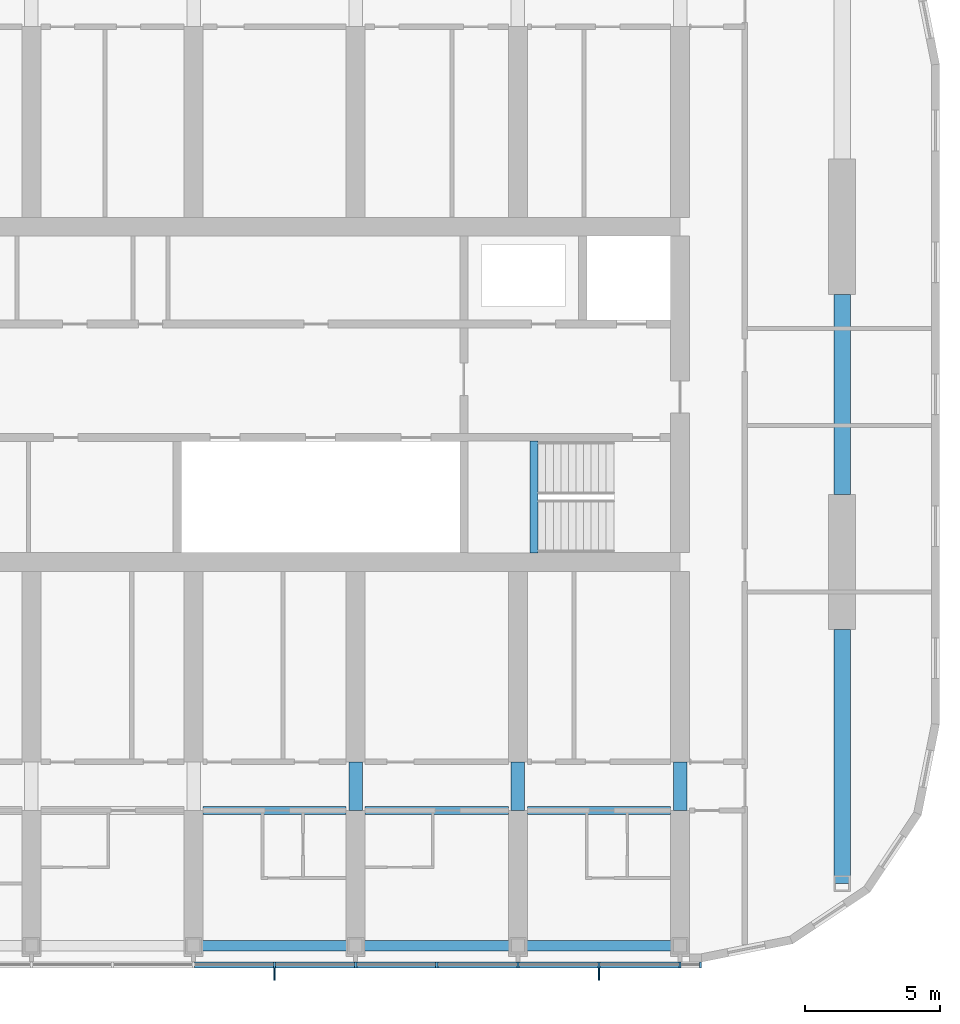
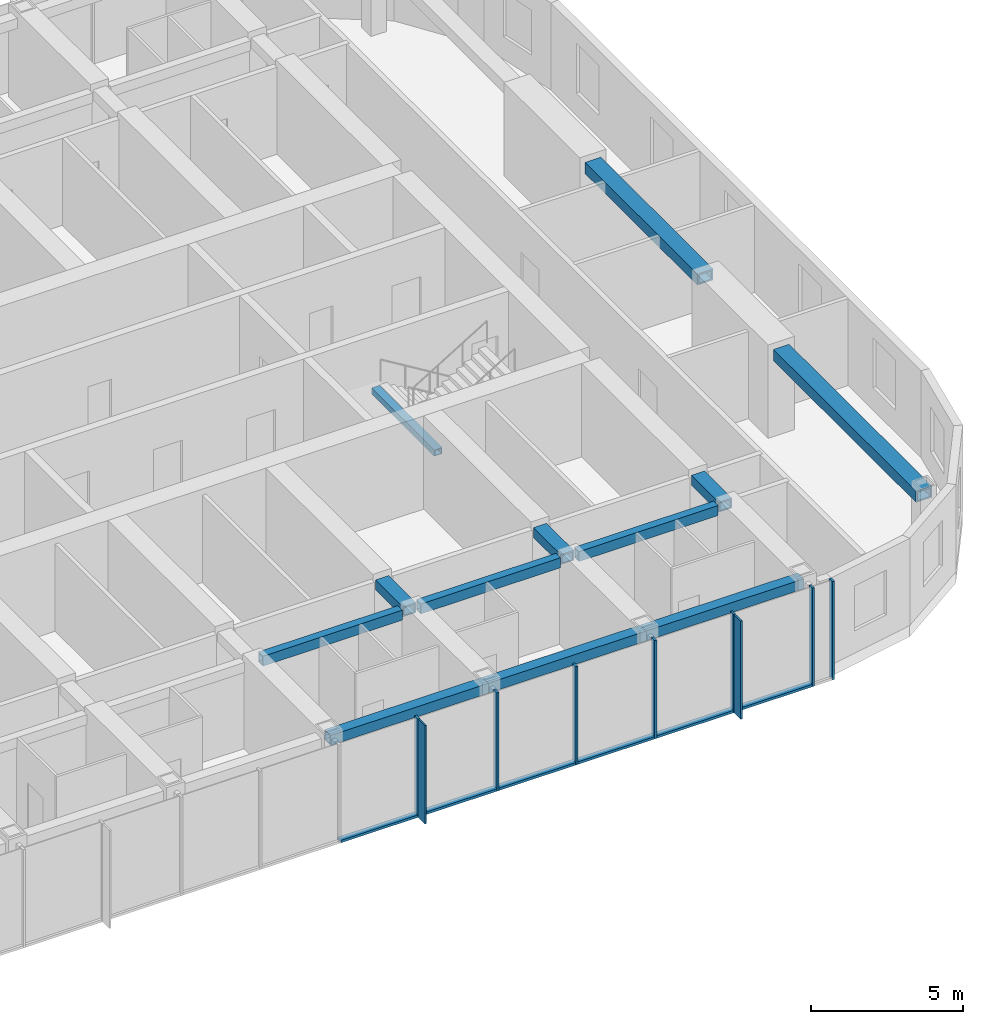
# One storey, part 5 of 26: 15 members, 12 beams, 1 element without a shape of its own.
"""IFC4 building model written with IfcOpenShell, lengths in metres."""

from ifc_helpers import new_model, si_unit, direction, frame, origin, origin_2d, place, context, subcontext, project, spatial, rectangle, hollow_rectangle, extrude, material, material_profile, profile_set, type_object, element, aggregate, save


model = new_model("IFC4")

# Units and contexts
model_context = context("Model", 3, precision=1e-05, world=origin(), true_north=direction((0.0, 1.0)))
body_context = subcontext(model_context, "Body", "Model", "MODEL_VIEW")
ifc_project = project(units=[si_unit("LENGTHUNIT", "METRE"), si_unit("AREAUNIT", "SQUARE_METRE"), si_unit("VOLUMEUNIT", "CUBIC_METRE"), si_unit("PLANEANGLEUNIT", "RADIAN"), si_unit("MASSUNIT", "GRAM", prefix="KILO")], contexts=[model_context])

# Site, building, storey
site_placement = place(None, origin())
site = spatial("IfcSite", under=ifc_project, at=site_placement, CompositionType="ELEMENT")
building_placement = place(site_placement, origin())
building = spatial("IfcBuilding", under=site, at=building_placement, Name="Orbita Commons", CompositionType="ELEMENT")
storey_placement = place(building_placement, frame((0.0, 0.0, 231.550048828125)))
storey = spatial("IfcBuildingStorey", under=building, at=storey_placement, Name="L57", CompositionType="ELEMENT", Elevation=231.550048828125)

# Curtain wall, members
ifc_material_1 = material(Name="Anodised aluminium frame, pale silver", Category="aluminium")
curtain_wall_type = type_object("IfcCurtainWallType", Name="Unitised curtain wall CW-U, full-height vision", PredefinedType="NOTDEFINED", material=ifc_material_1)
curtain_wall_placement = place(storey_placement, origin())
curtain_wall = element("IfcCurtainWall", 1, at=curtain_wall_placement, inside=storey, type_object=curtain_wall_type, Name="Curtain wall south L57", PredefinedType="NOTDEFINED")
ifc_material_2 = material(Name="Anodised aluminium, pale silver", Category="aluminium")
ifc_material_profile_1 = material_profile(ifc_material_2, rectangle(XDim=0.080078125, YDim=0.219970703125, at=origin_2d()), Name="AL 80x220")
ifc_profile_set_1 = profile_set([ifc_material_profile_1], Name="Anodised aluminium, pale silver")
member_type_1 = type_object("IfcMemberType", Name="Curtain wall mullion 80x220", PredefinedType="MULLION", material=ifc_profile_set_1)
member_1_placement = place(storey_placement, frame((51.0, 10.889892578125, -0.449951171875), z_axis=(0.0, 0.0, 1.0), x_axis=(1.0, 0.0, 0.0)))
member_1 = element("IfcMember", 2, at=member_1_placement, type_object=member_type_1, Name="Mullion 13 CW-L57-S", PredefinedType="MULLION", context=body_context, shape_type="SweptSolid", body=[
    extrude(rectangle(XDim=0.080078125, YDim=0.219970703125, at=origin_2d()), origin(), (0.0, 0.0, 1.0), 3.949951171875),
])
member_2_placement = place(storey_placement, frame((54.0, 10.889892578125, -0.449951171875), z_axis=(0.0, 0.0, 1.0), x_axis=(1.0, 0.0, 0.0)))
member_2 = element("IfcMember", 3, at=member_2_placement, type_object=member_type_1, Name="Mullion 14 CW-L57-S", PredefinedType="MULLION", context=body_context, shape_type="SweptSolid", body=[
    extrude(rectangle(XDim=0.080078125, YDim=0.219970703125, at=origin_2d()), origin(), (0.0, 0.0, 1.0), 3.949951171875),
])
member_3_placement = place(storey_placement, frame((57.0, 10.889892578125, -0.449951171875), z_axis=(0.0, 0.0, 1.0), x_axis=(1.0, 0.0, 0.0)))
member_3 = element("IfcMember", 4, at=member_3_placement, type_object=member_type_1, Name="Mullion 15 CW-L57-S", PredefinedType="MULLION", context=body_context, shape_type="SweptSolid", body=[
    extrude(rectangle(XDim=0.080078125, YDim=0.219970703125, at=origin_2d()), origin(), (0.0, 0.0, 1.0), 3.949951171875),
])
member_4_placement = place(storey_placement, frame((60.0, 10.889892578125, -0.449951171875), z_axis=(0.0, 0.0, 1.0), x_axis=(1.0, 0.0, 0.0)))
member_4 = element("IfcMember", 5, at=member_4_placement, type_object=member_type_1, Name="Mullion 16 CW-L57-S", PredefinedType="MULLION", context=body_context, shape_type="SweptSolid", body=[
    extrude(rectangle(XDim=0.080078125, YDim=0.219970703125, at=origin_2d()), origin(), (0.0, 0.0, 1.0), 3.949951171875),
])
member_5_placement = place(storey_placement, frame((63.0, 10.889892578125, -0.449951171875), z_axis=(0.0, 0.0, 1.0), x_axis=(1.0, 0.0, 0.0)))
member_5 = element("IfcMember", 6, at=member_5_placement, type_object=member_type_1, Name="Mullion 17 CW-L57-S", PredefinedType="MULLION", context=body_context, shape_type="SweptSolid", body=[
    extrude(rectangle(XDim=0.080078125, YDim=0.219970703125, at=origin_2d()), origin(), (0.0, 0.0, 1.0), 3.949951171875),
])
member_6_placement = place(storey_placement, frame((66.0, 10.889892578125, -0.449951171875), z_axis=(0.0, 0.0, 1.0), x_axis=(1.0, 0.0, 0.0)))
member_6 = element("IfcMember", 7, at=member_6_placement, type_object=member_type_1, Name="Mullion 18 CW-L57-S", PredefinedType="MULLION", context=body_context, shape_type="SweptSolid", body=[
    extrude(rectangle(XDim=0.080078125, YDim=0.219970703125, at=origin_2d()), origin(), (0.0, 0.0, 1.0), 3.949951171875),
])
member_7_placement = place(storey_placement, frame((66.760009765625, 10.889892578125, -0.449951171875), z_axis=(0.0, 0.0, 1.0), x_axis=(1.0, 0.0, 0.0)))
member_7 = element("IfcMember", 8, at=member_7_placement, type_object=member_type_1, Name="Mullion 19 CW-L57-S", PredefinedType="MULLION", context=body_context, shape_type="SweptSolid", body=[
    extrude(rectangle(XDim=0.080078125, YDim=0.219970703125, at=origin_2d()), origin(), (0.0, 0.0, 1.0), 3.949951171875),
])
ifc_material_3 = material(Name="Anodised aluminium, pale silver", Category="aluminium")
ifc_material_profile_2 = material_profile(ifc_material_3, rectangle(XDim=0.219970703125, YDim=0.10009765625, at=origin_2d()), Name="AL 220x100")
ifc_profile_set_2 = profile_set([ifc_material_profile_2], Name="Anodised aluminium, pale silver")
member_type_2 = type_object("IfcMemberType", Name="Curtain wall stack transom 220x100", PredefinedType="USERDEFINED", material=ifc_profile_set_2)
member_8_placement = place(storey_placement, frame((48.0400390625, 10.889892578125, -0.400146484375), z_axis=(1.0, 0.0, 0.0), x_axis=(0.0, 1.0, 0.0)))
member_8 = element("IfcMember", 9, at=member_8_placement, type_object=member_type_2, Name="Transom 12.1 CW-L57-S", ObjectType="TRANSOM", PredefinedType="USERDEFINED", context=body_context, shape_type="SweptSolid", body=[
    extrude(rectangle(XDim=0.219970703125, YDim=0.10009765625, at=origin_2d()), origin(), (0.0, 0.0, 1.0), 2.919921875),
])
member_9_placement = place(storey_placement, frame((51.0400390625, 10.889892578125, -0.400146484375), z_axis=(1.0, 0.0, 0.0), x_axis=(0.0, 1.0, 0.0)))
member_9 = element("IfcMember", 10, at=member_9_placement, type_object=member_type_2, Name="Transom 13.1 CW-L57-S", ObjectType="TRANSOM", PredefinedType="USERDEFINED", context=body_context, shape_type="SweptSolid", body=[
    extrude(rectangle(XDim=0.219970703125, YDim=0.10009765625, at=origin_2d()), origin(), (0.0, 0.0, 1.0), 2.919921875),
])
member_10_placement = place(storey_placement, frame((54.0400390625, 10.889892578125, -0.400146484375), z_axis=(1.0, 0.0, 0.0), x_axis=(0.0, 1.0, 0.0)))
member_10 = element("IfcMember", 11, at=member_10_placement, type_object=member_type_2, Name="Transom 14.1 CW-L57-S", ObjectType="TRANSOM", PredefinedType="USERDEFINED", context=body_context, shape_type="SweptSolid", body=[
    extrude(rectangle(XDim=0.219970703125, YDim=0.10009765625, at=origin_2d()), origin(), (0.0, 0.0, 1.0), 2.919921875),
])
member_11_placement = place(storey_placement, frame((57.0400390625, 10.889892578125, -0.400146484375), z_axis=(1.0, 0.0, 0.0), x_axis=(0.0, 1.0, 0.0)))
member_11 = element("IfcMember", 12, at=member_11_placement, type_object=member_type_2, Name="Transom 15.1 CW-L57-S", ObjectType="TRANSOM", PredefinedType="USERDEFINED", context=body_context, shape_type="SweptSolid", body=[
    extrude(rectangle(XDim=0.219970703125, YDim=0.10009765625, at=origin_2d()), origin(), (0.0, 0.0, 1.0), 2.919921875),
])
member_12_placement = place(storey_placement, frame((60.0400390625, 10.889892578125, -0.400146484375), z_axis=(1.0, 0.0, 0.0), x_axis=(0.0, 1.0, 0.0)))
member_12 = element("IfcMember", 13, at=member_12_placement, type_object=member_type_2, Name="Transom 16.1 CW-L57-S", ObjectType="TRANSOM", PredefinedType="USERDEFINED", context=body_context, shape_type="SweptSolid", body=[
    extrude(rectangle(XDim=0.219970703125, YDim=0.10009765625, at=origin_2d()), origin(), (0.0, 0.0, 1.0), 2.919921875),
])
member_13_placement = place(storey_placement, frame((63.0400390625, 10.889892578125, -0.400146484375), z_axis=(1.0, 0.0, 0.0), x_axis=(0.0, 1.0, 0.0)))
member_13 = element("IfcMember", 14, at=member_13_placement, type_object=member_type_2, Name="Transom 17.1 CW-L57-S", ObjectType="TRANSOM", PredefinedType="USERDEFINED", context=body_context, shape_type="SweptSolid", body=[
    extrude(rectangle(XDim=0.219970703125, YDim=0.10009765625, at=origin_2d()), origin(), (0.0, 0.0, 1.0), 2.919921875),
])

# Beams
ifc_material_4 = material(Name="Steel ASTM A572 Gr 50 welded plate", Category="steel")
ifc_material_profile_3 = material_profile(ifc_material_4, hollow_rectangle(XDim=0.300048828125, YDim=0.25, WallThickness=0.02490234375, at=origin_2d()), Name="BOX 250x300x25")
ifc_profile_set_3 = profile_set([ifc_material_profile_3], Name="Steel ASTM A572 Gr 50 welded plate")
beam_type_1 = type_object("IfcBeamType", Name="Stair landing beam steel BOX 250x300x25", PredefinedType="BEAM", material=ifc_profile_set_3)
beam_1_placement = place(storey_placement, frame((60.60009765625, 26.135009765625, 1.550048828125), z_axis=(0.0, 1.0, 0.0), x_axis=(-1.0, 0.0, 0.0)))
element("IfcBeam", 15, at=beam_1_placement, inside=storey, type_object=beam_type_1, Name="Stair S2 landing beam L57 1", PredefinedType="BEAM", context=body_context, shape_type="SweptSolid", body=[
    extrude(hollow_rectangle(XDim=0.300048828125, YDim=0.25, WallThickness=0.02490234375, at=origin_2d()), origin(), (0.0, 0.0, 1.0), 4.1298828125),
])
ifc_material_5 = material(Name="Steel ASTM A572 Gr 50 welded plate", Category="steel")
ifc_material_profile_4 = material_profile(ifc_material_5, hollow_rectangle(XDim=0.300048828125, YDim=0.39990234375, WallThickness=0.0400390625, at=origin_2d()), Name="BOX 400x300x40")
ifc_profile_set_4 = profile_set([ifc_material_profile_4], Name="Steel ASTM A572 Gr 50 welded plate")
beam_type_2 = type_object("IfcBeamType", Name="Steel corridor link BOX 400x300x40", PredefinedType="BEAM", material=ifc_profile_set_4)
for number, where, z_axis, x_axis, name in (
    (16, (48.35009765625, 16.60009765625, 3.300048828125), (1.0, 0.0, 0.0), (0.0, 1.0, 0.0), "Corridor beam SA 9-10 L57"),
    (17, (54.35009765625, 16.60009765625, 3.300048828125), (1.0, 0.0, 0.0), (0.0, 1.0, 0.0), "Corridor beam SA 10-11 L57"),
    (18, (60.35009765625, 16.60009765625, 3.300048828125), (1.0, 0.0, 0.0), (0.0, 1.0, 0.0), "Corridor beam SA 11-12 L57"),
):
    element("IfcBeam", number, at=place(storey_placement, frame(where, z_axis=z_axis, x_axis=x_axis)), inside=storey, type_object=beam_type_2, Name=name, PredefinedType="BEAM", context=body_context, shape_type="SweptSolid", body=[
        extrude(hollow_rectangle(XDim=0.300048828125, YDim=0.39990234375, WallThickness=0.0400390625, at=origin_2d()), origin(), (0.0, 0.0, 1.0), 5.2998046875),
    ])
ifc_material_6 = material(Name="Steel ASTM A572 Gr 50 welded plate", Category="steel")
ifc_material_profile_5 = material_profile(ifc_material_6, hollow_rectangle(XDim=0.5, YDim=0.39990234375, WallThickness=0.050048828125, at=origin_2d()), Name="BOX 400x500x50")
ifc_profile_set_5 = profile_set([ifc_material_profile_5], Name="Steel ASTM A572 Gr 50 welded plate")
beam_type_3 = type_object("IfcBeamType", Name="Steel coupling link BOX 400x500x50", PredefinedType="LINTEL", material=ifc_profile_set_5)
for number, where, z_axis, x_axis, name in (
    (19, (54.0, 16.60009765625, 3.300048828125), (0.0, 1.0, 0.0), (-1.0, 0.0, 0.0), "Coupling beam 10 south L57"),
    (20, (60.0, 16.60009765625, 3.300048828125), (0.0, 1.0, 0.0), (-1.0, 0.0, 0.0), "Coupling beam 11 south L57"),
    (21, (66.0, 16.60009765625, 3.300048828125), (0.0, 1.0, 0.0), (-1.0, 0.0, 0.0), "Coupling beam 12 south L57"),
):
    element("IfcBeam", number, at=place(storey_placement, frame(where, z_axis=z_axis, x_axis=x_axis)), inside=storey, type_object=beam_type_3, Name=name, PredefinedType="LINTEL", context=body_context, shape_type="SweptSolid", body=[
        extrude(hollow_rectangle(XDim=0.5, YDim=0.39990234375, WallThickness=0.050048828125, at=origin_2d()), origin(), (0.0, 0.0, 1.0), 1.7998046875),
    ])
ifc_material_7 = material(Name="Steel ASTM A572 Gr 50 welded plate", Category="steel")
ifc_material_profile_6 = material_profile(ifc_material_7, hollow_rectangle(XDim=0.60009765625, YDim=0.449951171875, WallThickness=0.06005859375, at=origin_2d()), Name="BOX 450x600x60")
ifc_profile_set_6 = profile_set([ifc_material_profile_6], Name="Steel ASTM A572 Gr 50 welded plate")
beam_type_4 = type_object("IfcBeamType", Name="Steel end frame link BOX 450x600x60", PredefinedType="BEAM", material=ifc_profile_set_6)
beam_2_placement = place(storey_placement, frame((72.0, 13.89990234375, 3.27490234375), z_axis=(0.0, 1.0, 0.0), x_axis=(-1.0, 0.0, 0.0)))
element("IfcBeam", 22, at=beam_2_placement, inside=storey, type_object=beam_type_4, Name="End frame beam 13 B-C L57", PredefinedType="BEAM", context=body_context, shape_type="SweptSolid", body=[
    extrude(hollow_rectangle(XDim=0.60009765625, YDim=0.449951171875, WallThickness=0.06005859375, at=origin_2d()), origin(), (0.0, 0.0, 1.0), 9.400146484375),
])
beam_3_placement = place(storey_placement, frame((72.0, 28.300048828125, 3.27490234375), z_axis=(0.0, 1.0, 0.0), x_axis=(-1.0, 0.0, 0.0)))
element("IfcBeam", 23, at=beam_3_placement, inside=storey, type_object=beam_type_4, Name="End frame beam 13 C-D L57", PredefinedType="BEAM", context=body_context, shape_type="SweptSolid", body=[
    extrude(hollow_rectangle(XDim=0.60009765625, YDim=0.449951171875, WallThickness=0.06005859375, at=origin_2d()), origin(), (0.0, 0.0, 1.0), 7.39990234375),
])
ifc_material_8 = material(Name="Steel ASTM A572 Gr 50 welded plate", Category="steel")
ifc_material_profile_7 = material_profile(ifc_material_8, hollow_rectangle(XDim=0.39990234375, YDim=0.39990234375, WallThickness=0.0400390625, at=origin_2d()), Name="BOX 400x400x40")
ifc_profile_set_7 = profile_set([ifc_material_profile_7], Name="Steel ASTM A572 Gr 50 welded plate")
beam_type_5 = type_object("IfcBeamType", Name="Steel spandrel BOX 400x400x40", PredefinedType="SPANDREL", material=ifc_profile_set_7)
for number, where, z_axis, x_axis, name in (
    (24, (48.0, 11.60009765625, 3.300048828125), (1.0, 0.0, 0.0), (0.0, 1.0, 0.0), "Spandrel beam B 9-10 L57"),
    (25, (54.0, 11.60009765625, 3.300048828125), (1.0, 0.0, 0.0), (0.0, 1.0, 0.0), "Spandrel beam B 10-11 L57"),
    (26, (60.0, 11.60009765625, 3.300048828125), (1.0, 0.0, 0.0), (0.0, 1.0, 0.0), "Spandrel beam B 11-12 L57"),
):
    element("IfcBeam", number, at=place(storey_placement, frame(where, z_axis=z_axis, x_axis=x_axis)), inside=storey, type_object=beam_type_5, Name=name, PredefinedType="SPANDREL", context=body_context, shape_type="SweptSolid", body=[
        extrude(hollow_rectangle(XDim=0.39990234375, YDim=0.39990234375, WallThickness=0.0400390625, at=origin_2d()), origin(), (0.0, 0.0, 1.0), 6.0),
    ])

# Member
ifc_material_9 = material(Name="Anodised aluminium, pale silver", Category="aluminium")
ifc_material_profile_8 = material_profile(ifc_material_9, rectangle(XDim=0.06005859375, YDim=0.449951171875, at=origin_2d()), Name="FIN 60x450")
ifc_profile_set_8 = profile_set([ifc_material_profile_8], Name="Anodised aluminium, pale silver")
member_type_3 = type_object("IfcMemberType", Name="Vertical fin 60x450 pale aluminium", PredefinedType="USERDEFINED", material=ifc_profile_set_8)
member_14_placement = place(storey_placement, frame((51.0, 10.554931640625, -0.449951171875), z_axis=(0.0, 0.0, 1.0), x_axis=(1.0, 0.0, 0.0)))
member_14 = element("IfcMember", 27, at=member_14_placement, type_object=member_type_3, Name="Fin 13 CW-L57-S", ObjectType="FIN", PredefinedType="USERDEFINED", context=body_context, shape_type="SweptSolid", body=[
    extrude(rectangle(XDim=0.06005859375, YDim=0.449951171875, at=origin_2d()), origin(), (0.0, 0.0, 1.0), 3.949951171875),
])

member_15_placement = place(storey_placement, frame((63.0, 10.554931640625, -0.449951171875), z_axis=(0.0, 0.0, 1.0), x_axis=(1.0, 0.0, 0.0)))
member_15 = element("IfcMember", 28, at=member_15_placement, type_object=member_type_3, Name="Fin 17 CW-L57-S", ObjectType="FIN", PredefinedType="USERDEFINED", context=body_context, shape_type="SweptSolid", body=[
    extrude(rectangle(XDim=0.06005859375, YDim=0.449951171875, at=origin_2d()), origin(), (0.0, 0.0, 1.0), 3.949951171875),
])

aggregate(curtain_wall, [member_1, member_14, member_2, member_3, member_4, member_5, member_15, member_6, member_7, member_8, member_9, member_10, member_11, member_12, member_13])

save(model, "model.ifc")
